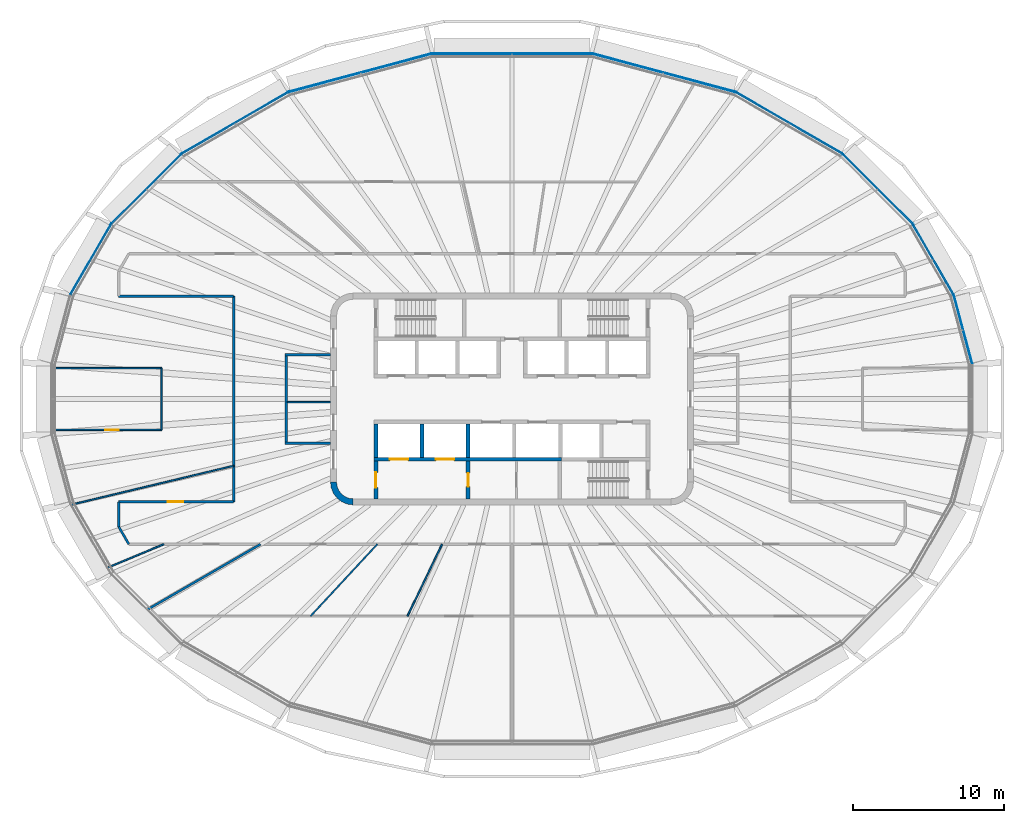
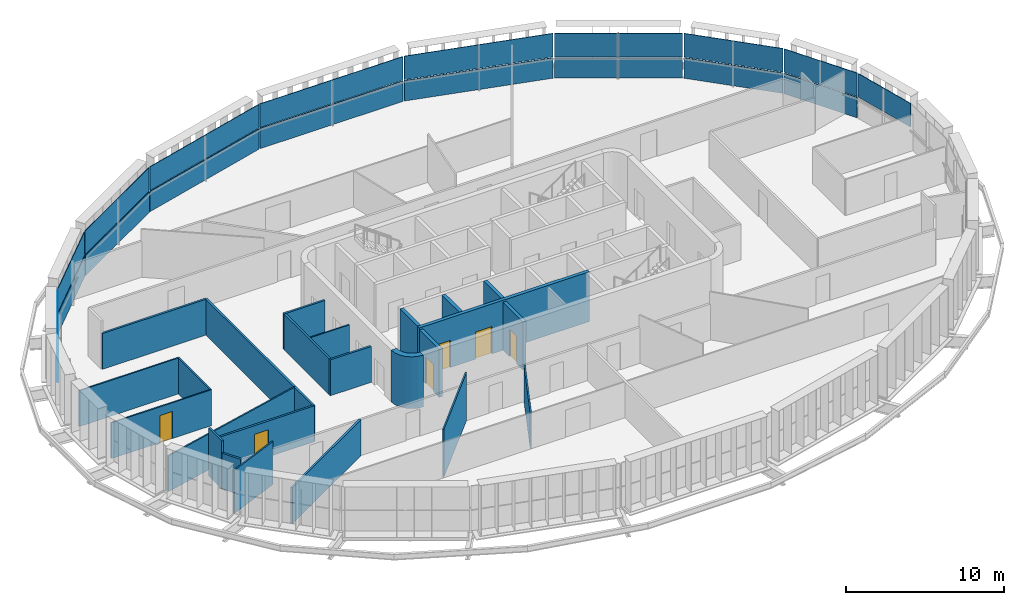
# One storey, part 9 of 19: 24 walls, 19 plates, 6 doors, 6 openings, 10 elements without a shape of their own.
"""IFC4 building model written with IfcOpenShell, lengths in metres."""

from ifc_helpers import new_model, si_unit, direction, frame, frame_2d, origin, place, context, subcontext, project, spatial, polyline, rectangle, outline, extrude, material, layer, layer_set, type_object, element, fill, aggregate, save


model = new_model("IFC4")

# Units and contexts
model_context = context("Model", 3, precision=1e-05, world=origin(), true_north=direction((0.0, 1.0)))
body_context = subcontext(model_context, "Body", "Model", "MODEL_VIEW")
ifc_project = project(units=[si_unit("LENGTHUNIT", "METRE"), si_unit("AREAUNIT", "SQUARE_METRE"), si_unit("VOLUMEUNIT", "CUBIC_METRE"), si_unit("PLANEANGLEUNIT", "RADIAN"), si_unit("MASSUNIT", "GRAM", prefix="KILO")], contexts=[model_context])

# Site, building, storey
site_placement = place(None, origin())
site = spatial("IfcSite", under=ifc_project, at=site_placement, CompositionType="ELEMENT")
building_placement = place(site_placement, origin())
building = spatial("IfcBuilding", under=site, at=building_placement, Name="Sahrelin Media Tower", CompositionType="ELEMENT")
storey_placement = place(building_placement, frame((0.0, 0.0, 241.60009765625)))
storey = spatial("IfcBuildingStorey", under=building, at=storey_placement, Name="L52", CompositionType="ELEMENT", Elevation=241.60009765625)

# Curtain wall, plate
ifc_material_1 = material(Name="Champagne anodised aluminium 6063-T6", Category="aluminium")
ifc_layer_1 = layer(ifc_material_1, 0.14990234375)
ifc_layer_set_1 = layer_set([ifc_layer_1], Name="Tower ribbon curtain wall")
curtain_wall_type = type_object("IfcCurtainWallType", Name="Tower ribbon curtain wall", PredefinedType="NOTDEFINED", material=ifc_layer_set_1)
curtain_wall_1_placement = place(storey_placement, frame((29.83447265625, 4.572265625, 0.0), z_axis=(0.0, 0.0, 1.0), x_axis=(1.0, 0.0, 0.0)))
curtain_wall_1 = element("IfcCurtainWall", 1, at=curtain_wall_1_placement, inside=storey, type_object=curtain_wall_type, Name="L52:CW:L52-01", PredefinedType="NOTDEFINED")
ifc_material_2 = material(Name="Clear low-iron glazing", Category="glass")
ifc_layer_2 = layer(ifc_material_2, 0.0439453125)
ifc_layer_set_2 = layer_set([ifc_layer_2], Name="Glazing panel 44 mm CW1B")
plate_type_1 = type_object("IfcPlateType", Name="Glazing panel 44 mm CW1B", PredefinedType="CURTAIN_PANEL", material=ifc_layer_set_2)
plate_1_placement = place(storey_placement, frame((30.456298828125, 2.327880859375, 1.6298828125), z_axis=(0.965935885882, 0.258781499273, 0.0), x_axis=(-0.258781499273, 0.965935885882, 0.0)))
plate_1 = element("IfcPlate", 2, at=plate_1_placement, type_object=plate_type_1, Name="L52:CWP2:L52-01", PredefinedType="CURTAIN_PANEL", context=body_context, shape_type="SweptSolid", body=[
    extrude(outline(polyline([(0.0, 0.0), (4.65771484375, 0.0), (4.65771484375, 1.818603515625), (0.0, 1.818603515625), (0.0, 0.0)])), origin(), (0.0, 0.0, -1.0), 0.0439453125),
])
aggregate(curtain_wall_1, [plate_1])

curtain_wall_2_placement = place(storey_placement, frame((27.865234375, 9.214111328125, 0.0), z_axis=(0.0, 0.0, 1.0), x_axis=(1.0, 0.0, 0.0)))
curtain_wall_2 = element("IfcCurtainWall", 3, at=curtain_wall_2_placement, inside=storey, type_object=curtain_wall_type, Name="L52:CW:L52-02", PredefinedType="NOTDEFINED")
plate_2_placement = place(storey_placement, frame((29.2109375, 6.923095703125, 1.6298828125), z_axis=(0.866034858292, 0.499983623955, 0.0), x_axis=(-0.499983623955, 0.866034858292, 0.0)))
plate_2 = element("IfcPlate", 4, at=plate_2_placement, type_object=plate_type_1, Name="L52:CWP2:L52-02", PredefinedType="CURTAIN_PANEL", context=body_context, shape_type="SweptSolid", body=[
    extrude(outline(polyline([(0.0, 0.0), (5.313720703125, 0.0), (5.313720703125, 1.818603515625), (0.0, 1.818603515625), (0.0, 0.0)])), origin(), (0.0, 0.0, -1.0), 0.0439453125),
])

curtain_wall_3_placement = place(storey_placement, frame((24.1865234375, 13.883544921875, 0.0), z_axis=(0.0, 0.0, 1.0), x_axis=(1.0, 0.0, 0.0)))
curtain_wall_3 = element("IfcCurtainWall", 5, at=curtain_wall_3_placement, inside=storey, type_object=curtain_wall_type, Name="L52:CW:L52-03", PredefinedType="NOTDEFINED")
plate_3_placement = place(storey_placement, frame((26.49072265625, 11.607666015625, 1.6298828125), z_axis=(0.707087934304, 0.707125627567, 0.0), x_axis=(-0.707125627567, 0.707087934304, 0.0)))
plate_3 = element("IfcPlate", 6, at=plate_3_placement, type_object=plate_type_1, Name="L52:CWP2:L52-03", PredefinedType="CURTAIN_PANEL", context=body_context, shape_type="SweptSolid", body=[
    extrude(outline(polyline([(0.0, 0.0), (6.47705078125, 0.0), (6.47705078125, 1.818603515625), (0.0, 1.818603515625), (0.0, 0.0)])), origin(), (0.0, 0.0, -1.0), 0.0439453125),
])

curtain_wall_4_placement = place(storey_placement, frame((18.3115234375, 18.25830078125, 0.0), z_axis=(0.0, 0.0, 1.0), x_axis=(1.0, 0.0, 0.0)))
curtain_wall_4 = element("IfcCurtainWall", 7, at=curtain_wall_4_placement, inside=storey, type_object=curtain_wall_type, Name="L52:CW:L52-04", PredefinedType="NOTDEFINED")
plate_4_placement = place(storey_placement, frame((21.827880859375, 16.251220703125, 1.6298828125), z_axis=(0.499981703231, 0.866035967171, 0.0), x_axis=(-0.866035967171, 0.499981703231, 0.0)))
plate_4 = element("IfcPlate", 8, at=plate_4_placement, type_object=plate_type_1, Name="L52:CWP2:L52-04", PredefinedType="CURTAIN_PANEL", context=body_context, shape_type="SweptSolid", body=[
    extrude(outline(polyline([(0.0, 0.0), (8.097412109375, 0.0), (8.097412109375, 1.818603515625), (0.0, 1.818603515625), (0.0, 0.0)])), origin(), (0.0, 0.0, -1.0), 0.0439453125),
])

curtain_wall_5_placement = place(storey_placement, frame((10.017578125, 21.57861328125, 0.0), z_axis=(0.0, 0.0, 1.0), x_axis=(1.0, 0.0, 0.0)))
curtain_wall_5 = element("IfcCurtainWall", 9, at=curtain_wall_5_placement, inside=storey, type_object=curtain_wall_type, Name="L52:CW:L52-05", PredefinedType="NOTDEFINED")
plate_5_placement = place(storey_placement, frame((14.718994140625, 20.33984375, 1.6298828125), z_axis=(0.25881891783, 0.965925860392, 0.0), x_axis=(-0.965925860392, 0.25881891783, 0.0)))
plate_5 = element("IfcPlate", 10, at=plate_5_placement, type_object=plate_type_1, Name="L52:CWP2:L52-05", PredefinedType="CURTAIN_PANEL", context=body_context, shape_type="SweptSolid", body=[
    extrude(outline(polyline([(0.0, 0.0), (9.723388671875, 0.0), (9.723388671875, 1.818603515625), (0.0, 1.818603515625), (0.0, 0.0)])), origin(), (0.0, 0.0, -1.0), 0.0439453125),
])

curtain_wall_6_placement = place(storey_placement, frame((0.0, 22.85009765625, 0.0), z_axis=(0.0, 0.0, 1.0), x_axis=(1.0, 0.0, 0.0)))
curtain_wall_6 = element("IfcCurtainWall", 11, at=curtain_wall_6_placement, inside=storey, type_object=curtain_wall_type, Name="L52:CW:L52-06", PredefinedType="NOTDEFINED")
plate_6_placement = place(storey_placement, frame((5.223388671875, 22.8701171875, 1.6298828125), z_axis=(0.0, 1.0, 0.0), x_axis=(-1.0, 0.0, 0.0)))
plate_6 = element("IfcPlate", 12, at=plate_6_placement, type_object=plate_type_1, Name="L52:CWP2:L52-06", PredefinedType="CURTAIN_PANEL", context=body_context, shape_type="SweptSolid", body=[
    extrude(outline(polyline([(0.0, 0.0), (10.44677734375, 0.0), (10.44677734375, 1.818603515625), (0.0, 1.818603515625), (0.0, 0.0)])), origin(), (0.0, 0.0, -1.0), 0.0439453125),
])

curtain_wall_7_placement = place(storey_placement, frame((-10.017578125, 21.578857421875, 0.0), z_axis=(0.0, 0.0, 1.0), x_axis=(1.0, 0.0, 0.0)))
curtain_wall_7 = element("IfcCurtainWall", 13, at=curtain_wall_7_placement, inside=storey, type_object=curtain_wall_type, Name="L52:CW:L52-07", PredefinedType="NOTDEFINED")
plate_7_placement = place(storey_placement, frame((-5.326904296875, 22.8564453125, 1.6298828125), z_axis=(-0.25881891783, 0.965925860392, 0.0), x_axis=(-0.965925860392, -0.25881891783, 0.0)))
plate_7 = element("IfcPlate", 14, at=plate_7_placement, type_object=plate_type_1, Name="L52:CWP2:L52-07", PredefinedType="CURTAIN_PANEL", context=body_context, shape_type="SweptSolid", body=[
    extrude(outline(polyline([(0.0, 0.0), (9.723388671875, 0.0), (9.723388671875, 1.818603515625), (0.0, 1.818603515625), (0.0, 0.0)])), origin(), (0.0, 0.0, -1.0), 0.0439453125),
])

curtain_wall_8_placement = place(storey_placement, frame((-18.3115234375, 18.258056640625, 0.0), z_axis=(0.0, 0.0, 1.0), x_axis=(1.0, 0.0, 0.0)))
curtain_wall_8 = element("IfcCurtainWall", 15, at=curtain_wall_8_placement, inside=storey, type_object=curtain_wall_type, Name="L52:CW:L52-08", PredefinedType="NOTDEFINED")
plate_8_placement = place(storey_placement, frame((-14.815185546875, 20.2998046875, 1.6298828125), z_axis=(-0.499981703231, 0.866035967171, 0.0), x_axis=(-0.866035967171, -0.499981703231, 0.0)))
plate_8 = element("IfcPlate", 16, at=plate_8_placement, type_object=plate_type_1, Name="L52:CWP2:L52-08", PredefinedType="CURTAIN_PANEL", context=body_context, shape_type="SweptSolid", body=[
    extrude(outline(polyline([(0.0, 0.0), (8.097412109375, 0.0), (8.097412109375, 1.818603515625), (0.0, 1.818603515625), (0.0, 0.0)])), origin(), (0.0, 0.0, -1.0), 0.0439453125),
])

curtain_wall_9_placement = place(storey_placement, frame((-24.1865234375, 13.88330078125, 0.0), z_axis=(0.0, 0.0, 1.0), x_axis=(1.0, 0.0, 0.0)))
curtain_wall_9 = element("IfcCurtainWall", 17, at=curtain_wall_9_placement, inside=storey, type_object=curtain_wall_type, Name="L52:CW:L52-09", PredefinedType="NOTDEFINED")
plate_9_placement = place(storey_placement, frame((-21.91064453125, 16.1875, 1.6298828125), z_axis=(-0.707087934304, 0.707125627567, 0.0), x_axis=(-0.707125627567, -0.707087934304, 0.0)))
plate_9 = element("IfcPlate", 18, at=plate_9_placement, type_object=plate_type_1, Name="L52:CWP2:L52-09", PredefinedType="CURTAIN_PANEL", context=body_context, shape_type="SweptSolid", body=[
    extrude(outline(polyline([(0.0, 0.0), (6.47705078125, 0.0), (6.47705078125, 1.818603515625), (0.0, 1.818603515625), (0.0, 0.0)])), origin(), (0.0, 0.0, -1.0), 0.0439453125),
])

curtain_wall_10_placement = place(storey_placement, frame((-27.865234375, 9.214111328125, 0.0), z_axis=(0.0, 0.0, 1.0), x_axis=(1.0, 0.0, 0.0)))
curtain_wall_10 = element("IfcCurtainWall", 19, at=curtain_wall_10_placement, inside=storey, type_object=curtain_wall_type, Name="L52:CW:L52-10", PredefinedType="NOTDEFINED")
plate_10_placement = place(storey_placement, frame((-26.55419921875, 11.52490234375, 1.6298828125), z_axis=(-0.866034858292, 0.499983623955, 0.0), x_axis=(-0.499983623955, -0.866034858292, 0.0)))
plate_10 = element("IfcPlate", 20, at=plate_10_placement, type_object=plate_type_1, Name="L52:CWP2:L52-10", PredefinedType="CURTAIN_PANEL", context=body_context, shape_type="SweptSolid", body=[
    extrude(outline(polyline([(0.0, 0.0), (5.313720703125, 0.0), (5.313720703125, 1.818603515625), (0.0, 1.818603515625), (0.0, 0.0)])), origin(), (0.0, 0.0, -1.0), 0.0439453125),
])

# Plate
ifc_material_3 = material(Name="Insulated spandrel panel")
ifc_layer_3 = layer(ifc_material_3, 0.06005859375)
ifc_layer_set_3 = layer_set([ifc_layer_3], Name="Spandrel panel 60 mm CW1")
plate_type_2 = type_object("IfcPlateType", Name="Spandrel panel 60 mm CW1", PredefinedType="SHEET", material=ifc_layer_set_3)
plate_11_placement = place(storey_placement, frame((29.2109375, 6.923095703125, 0.0), z_axis=(0.866034858292, 0.499983623955, 0.0), x_axis=(-0.499983623955, 0.866034858292, 0.0)))
plate_11 = element("IfcPlate", 21, at=plate_11_placement, type_object=plate_type_2, Name="L52:CWP1:L52-02", PredefinedType="SHEET", context=body_context, shape_type="SweptSolid", body=[
    extrude(outline(polyline([(0.0, 0.0), (5.313720703125, 0.0), (5.313720703125, 1.56982421875), (0.0, 1.56982421875), (0.0, 0.0)])), origin(), (0.0, 0.0, -1.0), 0.06005859375),
])

aggregate(curtain_wall_2, [plate_11, plate_2])

plate_12_placement = place(storey_placement, frame((26.49072265625, 11.607666015625, 0.0), z_axis=(0.707087934304, 0.707125627567, 0.0), x_axis=(-0.707125627567, 0.707087934304, 0.0)))
plate_12 = element("IfcPlate", 22, at=plate_12_placement, type_object=plate_type_2, Name="L52:CWP1:L52-03", PredefinedType="SHEET", context=body_context, shape_type="SweptSolid", body=[
    extrude(outline(polyline([(0.0, 0.0), (6.47705078125, 0.0), (6.47705078125, 1.56982421875), (0.0, 1.56982421875), (0.0, 0.0)])), origin(), (0.0, 0.0, -1.0), 0.06005859375),
])

aggregate(curtain_wall_3, [plate_12, plate_3])

plate_13_placement = place(storey_placement, frame((21.827880859375, 16.251220703125, 0.0), z_axis=(0.499981703231, 0.866035967171, 0.0), x_axis=(-0.866035967171, 0.499981703231, 0.0)))
plate_13 = element("IfcPlate", 23, at=plate_13_placement, type_object=plate_type_2, Name="L52:CWP1:L52-04", PredefinedType="SHEET", context=body_context, shape_type="SweptSolid", body=[
    extrude(outline(polyline([(0.0, 0.0), (8.097412109375, 0.0), (8.097412109375, 1.56982421875), (0.0, 1.56982421875), (0.0, 0.0)])), origin(), (0.0, 0.0, -1.0), 0.06005859375),
])

aggregate(curtain_wall_4, [plate_13, plate_4])

plate_14_placement = place(storey_placement, frame((14.718994140625, 20.33984375, 0.0), z_axis=(0.25881891783, 0.965925860392, 0.0), x_axis=(-0.965925860392, 0.25881891783, 0.0)))
plate_14 = element("IfcPlate", 24, at=plate_14_placement, type_object=plate_type_2, Name="L52:CWP1:L52-05", PredefinedType="SHEET", context=body_context, shape_type="SweptSolid", body=[
    extrude(outline(polyline([(0.0, 0.0), (9.723388671875, 0.0), (9.723388671875, 1.56982421875), (0.0, 1.56982421875), (0.0, 0.0)])), origin(), (0.0, 0.0, -1.0), 0.06005859375),
])

aggregate(curtain_wall_5, [plate_14, plate_5])

plate_15_placement = place(storey_placement, frame((5.223388671875, 22.8701171875, 0.0), z_axis=(0.0, 1.0, 0.0), x_axis=(-1.0, 0.0, 0.0)))
plate_15 = element("IfcPlate", 25, at=plate_15_placement, type_object=plate_type_2, Name="L52:CWP1:L52-06", PredefinedType="SHEET", context=body_context, shape_type="SweptSolid", body=[
    extrude(outline(polyline([(0.0, 0.0), (10.44677734375, 0.0), (10.44677734375, 1.56982421875), (0.0, 1.56982421875), (0.0, 0.0)])), origin(), (0.0, 0.0, -1.0), 0.06005859375),
])

aggregate(curtain_wall_6, [plate_15, plate_6])

plate_16_placement = place(storey_placement, frame((-5.326904296875, 22.8564453125, 0.0), z_axis=(-0.25881891783, 0.965925860392, 0.0), x_axis=(-0.965925860392, -0.25881891783, 0.0)))
plate_16 = element("IfcPlate", 26, at=plate_16_placement, type_object=plate_type_2, Name="L52:CWP1:L52-07", PredefinedType="SHEET", context=body_context, shape_type="SweptSolid", body=[
    extrude(outline(polyline([(0.0, 0.0), (9.723388671875, 0.0), (9.723388671875, 1.56982421875), (0.0, 1.56982421875), (0.0, 0.0)])), origin(), (0.0, 0.0, -1.0), 0.06005859375),
])

aggregate(curtain_wall_7, [plate_16, plate_7])

plate_17_placement = place(storey_placement, frame((-14.815185546875, 20.2998046875, 0.0), z_axis=(-0.499981703231, 0.866035967171, 0.0), x_axis=(-0.866035967171, -0.499981703231, 0.0)))
plate_17 = element("IfcPlate", 27, at=plate_17_placement, type_object=plate_type_2, Name="L52:CWP1:L52-08", PredefinedType="SHEET", context=body_context, shape_type="SweptSolid", body=[
    extrude(outline(polyline([(0.0, 0.0), (8.097412109375, 0.0), (8.097412109375, 1.56982421875), (0.0, 1.56982421875), (0.0, 0.0)])), origin(), (0.0, 0.0, -1.0), 0.06005859375),
])

aggregate(curtain_wall_8, [plate_17, plate_8])

plate_18_placement = place(storey_placement, frame((-21.91064453125, 16.1875, 0.0), z_axis=(-0.707087934304, 0.707125627567, 0.0), x_axis=(-0.707125627567, -0.707087934304, 0.0)))
plate_18 = element("IfcPlate", 28, at=plate_18_placement, type_object=plate_type_2, Name="L52:CWP1:L52-09", PredefinedType="SHEET", context=body_context, shape_type="SweptSolid", body=[
    extrude(outline(polyline([(0.0, 0.0), (6.47705078125, 0.0), (6.47705078125, 1.56982421875), (0.0, 1.56982421875), (0.0, 0.0)])), origin(), (0.0, 0.0, -1.0), 0.06005859375),
])

aggregate(curtain_wall_9, [plate_18, plate_9])

plate_19_placement = place(storey_placement, frame((-26.55419921875, 11.52490234375, 0.0), z_axis=(-0.866034858292, 0.499983623955, 0.0), x_axis=(-0.499983623955, -0.866034858292, 0.0)))
plate_19 = element("IfcPlate", 29, at=plate_19_placement, type_object=plate_type_2, Name="L52:CWP1:L52-10", PredefinedType="SHEET", context=body_context, shape_type="SweptSolid", body=[
    extrude(outline(polyline([(0.0, 0.0), (5.313720703125, 0.0), (5.313720703125, 1.56982421875), (0.0, 1.56982421875), (0.0, 0.0)])), origin(), (0.0, 0.0, -1.0), 0.06005859375),
])

aggregate(curtain_wall_10, [plate_19, plate_10])

# Walls
ifc_material_4 = material(Name="Concrete C60/75", Category="concrete")
ifc_layer_4 = layer(ifc_material_4, 0.39990234375)
ifc_layer_set_4 = layer_set([ifc_layer_4], Name="Core wall 400")
wall_type_1 = type_object("IfcWallType", Name="Core wall 400", PredefinedType="SHEAR", material=ifc_layer_set_4)
wall_1_placement = place(storey_placement, origin())
element("IfcWall", 30, at=wall_1_placement, inside=storey, type_object=wall_type_1, Name="Core wall corner SW L52", PredefinedType="SHEAR", context=body_context, shape_type="SweptSolid", body=[
    extrude(outline(polyline([(-10.5, -7.0), (-10.5, -6.596435546875), (-10.78369140625, -6.55908203125), (-11.04833984375, -6.44970703125), (-11.275390625, -6.275390625), (-11.44970703125, -6.04833984375), (-11.55908203125, -5.78369140625), (-11.596435546875, -5.5), (-12.0, -5.5), (-11.948974609375, -5.88818359375), (-11.799072265625, -6.25), (-11.560791015625, -6.560791015625), (-11.25, -6.799072265625), (-10.88818359375, -6.948974609375), (-10.5, -7.0)])), origin(), (0.0, 0.0, 1.0), 4.0),
])
ifc_material_5 = material(Name="Fire-rated gypsum board partition")
ifc_layer_5 = layer(ifc_material_5, 0.10009765625)
ifc_layer_set_5 = layer_set([ifc_layer_5], Name="Fire-rated partition 100")
wall_type_2 = type_object("IfcWallType", Name="Fire-rated partition 100", PredefinedType="PARTITIONING", material=ifc_layer_set_5)
wall_2_placement = place(storey_placement, frame((-14.85009765625, -0.199951171875, 0.0), z_axis=(0.0, 0.0, 1.0), x_axis=(1.0, 0.0, 0.0)))
element("IfcWall", 31, at=wall_2_placement, inside=storey, type_object=wall_type_2, Name="Core room partition", PredefinedType="PARTITIONING", context=body_context, shape_type="SweptSolid", body=[
    extrude(rectangle(XDim=2.85009765625, YDim=0.10009765625, at=frame_2d((1.425048828125, 0.0))), origin(), (0.0, 0.0, 1.0), 2.76806640625),
])
ifc_layer_6 = layer(ifc_material_5, 0.14990234375)
ifc_layer_set_6 = layer_set([ifc_layer_6], Name="Fire-rated partition 150")
wall_type_3 = type_object("IfcWallType", Name="Fire-rated partition 150", PredefinedType="PARTITIONING", material=ifc_layer_set_6)
wall_3_placement = place(storey_placement, frame((-14.925048828125, -2.85009765625, 0.0), z_axis=(0.0, 0.0, 1.0), x_axis=(0.0, 1.0, 0.0)))
element("IfcWall", 32, at=wall_3_placement, inside=storey, type_object=wall_type_3, Name="Core room fire partition", PredefinedType="PARTITIONING", context=body_context, shape_type="SweptSolid", body=[
    extrude(rectangle(XDim=5.7001953125, YDim=0.14990234375, at=frame_2d((2.85009765625, 0.0))), origin(), (0.0, 0.0, 1.0), 2.76806640625),
])
for number, where, z_axis, x_axis, name in (
    (33, (-15.0, 2.925048828125, 0.0), (0.0, 0.0, 1.0), (1.0, 0.0, 0.0), "Core room fire partition"),
    (34, (-15.0, -2.925048828125, 0.0), (0.0, 0.0, 1.0), (1.0, 0.0, 0.0), "Core room fire partition"),
):
    element("IfcWall", number, at=place(storey_placement, frame(where, z_axis=z_axis, x_axis=x_axis)), inside=storey, type_object=wall_type_3, Name=name, PredefinedType="PARTITIONING", context=body_context, shape_type="SweptSolid", body=[
        extrude(rectangle(XDim=3.0, YDim=0.14990234375, at=frame_2d((1.5, 0.0))), origin(), (0.0, 0.0, 1.0), 2.76806640625),
    ])
wall_4_placement = place(storey_placement, frame((-26.0, -8.445068359375, 0.0), z_axis=(0.0, 0.0, 1.0), x_axis=(0.500076310463, -0.865981341435, 0.0)))
element("IfcWall", 35, at=wall_4_placement, inside=storey, type_object=wall_type_3, Name="Wall", PredefinedType="PARTITIONING", context=body_context, shape_type="SweptSolid", body=[
    extrude(rectangle(XDim=1.333740234375, YDim=0.14990234375, at=frame_2d((0.6669921875, 0.0))), origin(), (0.0, 0.0, 1.0), 2.76806640625),
])

# Wall, opening, door
wall_5_placement = place(storey_placement, frame((-26.0, -6.800048828125, 0.0), z_axis=(0.0, 0.0, 1.0), x_axis=(1.0, 0.0, 0.0)))
wall_5 = element("IfcWall", 36, at=wall_5_placement, inside=storey, type_object=wall_type_3, Name="Wall", PredefinedType="PARTITIONING", context=body_context, shape_type="SweptSolid", body=[
    extrude(rectangle(XDim=7.60009765625, YDim=0.14990234375, at=frame_2d((3.800048828125, 0.0))), origin(), (0.0, 0.0, 1.0), 2.76806640625),
])
opening_1_placement = place(wall_5_placement, frame((3.2490234375, 0.0, 0.0)))
opening_1 = element("IfcOpeningElement", 37, at=opening_1_placement, cuts=wall_5, Name="Opening L52-D25", PredefinedType="OPENING", context=body_context, shape_type="SweptSolid", body=[
    extrude(rectangle(XDim=1.0, YDim=2.10009765625, at=frame_2d((0.5, 1.050048828125))), frame((0.0, 0.074951171875, 0.0), z_axis=(0.0, -1.0, 0.0), x_axis=(1.0, 0.0, 0.0)), (0.0, 0.0, 1.0), 0.14990234375),
])
ifc_material_6 = material(Name="Steel fire door leaf", Category="steel")
door_type_1 = type_object("IfcDoorType", Name="Fire door 1000 x 2100 EI 60", OperationType="NOTDEFINED", PredefinedType="DOOR", material=ifc_material_6)
door_1_placement = place(opening_1_placement, origin())
door_1 = element("IfcDoor", 38, at=door_1_placement, inside=storey, type_object=door_type_1, Name="Fire door", OperationType="SINGLE_SWING_LEFT", OverallHeight=2.10009765625, OverallWidth=1.0, PredefinedType="DOOR", context=body_context, shape_type="SweptSolid", body=[
    extrude(rectangle(XDim=1.0, YDim=2.10009765625, at=frame_2d((0.5, 1.050048828125))), frame((0.0, 0.02490234375, 0.0), z_axis=(0.0, -1.0, 0.0), x_axis=(1.0, 0.0, 0.0)), (0.0, 0.0, 1.0), 0.050048828125),
])
fill(opening_1, door_1)

# Walls
wall_6_placement = place(storey_placement, frame((-26.0, 6.800048828125, 0.0), z_axis=(0.0, 0.0, 1.0), x_axis=(1.0, 0.0, 0.0)))
element("IfcWall", 39, at=wall_6_placement, inside=storey, type_object=wall_type_3, Name="Wall", PredefinedType="PARTITIONING", context=body_context, shape_type="SweptSolid", body=[
    extrude(rectangle(XDim=7.60009765625, YDim=0.14990234375, at=frame_2d((3.800048828125, 0.0))), origin(), (0.0, 0.0, 1.0), 2.76806640625),
])
wall_7_placement = place(storey_placement, frame((-24.135009765625, -13.93505859375, 0.0), z_axis=(0.0, 0.0, 1.0), x_axis=(0.866016292776, 0.500015780397, 0.0)))
element("IfcWall", 40, at=wall_7_placement, inside=storey, type_object=wall_type_3, Name="Wall", PredefinedType="PARTITIONING", context=body_context, shape_type="SweptSolid", body=[
    extrude(rectangle(XDim=8.669677734375, YDim=0.14990234375, at=frame_2d((4.3349609375, 0.0))), origin(), (0.0, 0.0, 1.0), 2.77685546875),
])
wall_8_placement = place(storey_placement, frame((-18.39990234375, -6.800048828125, 0.0), z_axis=(0.0, 0.0, 1.0), x_axis=(0.0, 1.0, 0.0)))
element("IfcWall", 41, at=wall_8_placement, inside=storey, type_object=wall_type_3, Name="Wall", PredefinedType="PARTITIONING", context=body_context, shape_type="SweptSolid", body=[
    extrude(rectangle(XDim=13.60009765625, YDim=0.14990234375, at=frame_2d((6.800048828125, 0.0))), origin(), (0.0, 0.0, 1.0), 2.76806640625),
])
wall_9_placement = place(storey_placement, frame((-26.0, -8.445068359375, 0.0), z_axis=(0.0, 0.0, 1.0), x_axis=(0.0, 1.0, 0.0)))
element("IfcWall", 42, at=wall_9_placement, inside=storey, type_object=wall_type_3, Name="Wall", PredefinedType="PARTITIONING", context=body_context, shape_type="SweptSolid", body=[
    extrude(rectangle(XDim=1.64501953125, YDim=0.14990234375, at=frame_2d((0.822509765625, 0.0))), origin(), (0.0, 0.0, 1.0), 3.699951171875),
])

# Wall, opening, door
ifc_layer_7 = layer(ifc_material_5, 0.25)
ifc_layer_set_7 = layer_set([ifc_layer_7], Name="Firefighting lobby wall 250")
wall_type_4 = type_object("IfcWallType", Name="Firefighting lobby wall 250", PredefinedType="PARTITIONING", material=ifc_layer_set_7)
wall_10_placement = place(storey_placement, frame((-9.0, -6.60009765625, 0.0), z_axis=(0.0, 0.0, 1.0), x_axis=(0.0, 1.0, 0.0)))
wall_10 = element("IfcWall", 43, at=wall_10_placement, inside=storey, type_object=wall_type_4, Name="Core wall", PredefinedType="PARTITIONING", context=body_context, shape_type="SweptSolid", body=[
    extrude(rectangle(XDim=2.5, YDim=0.25, at=frame_2d((1.25, 0.0))), origin(), (0.0, 0.0, 1.0), 3.699951171875),
])
opening_2_placement = place(wall_10_placement, frame((0.75, 0.0, 0.0)))
opening_2 = element("IfcOpeningElement", 44, at=opening_2_placement, cuts=wall_10, Name="Opening L52-D04", PredefinedType="OPENING", context=body_context, shape_type="SweptSolid", body=[
    extrude(rectangle(XDim=1.0, YDim=2.10009765625, at=frame_2d((0.5, 1.050048828125))), frame((0.0, 0.125, 0.0), z_axis=(0.0, -1.0, 0.0), x_axis=(1.0, 0.0, 0.0)), (0.0, 0.0, 1.0), 0.25),
])
door_type_2 = type_object("IfcDoorType", Name="Firefighting lobby door 1000 x 2100 EI 120", OperationType="NOTDEFINED", PredefinedType="DOOR", material=ifc_material_6)
door_2_placement = place(opening_2_placement, origin())
door_2 = element("IfcDoor", 45, at=door_2_placement, inside=storey, type_object=door_type_2, Name="Firefighting lobby door", OperationType="SINGLE_SWING_LEFT", OverallHeight=2.10009765625, OverallWidth=1.0, PredefinedType="DOOR", context=body_context, shape_type="SweptSolid", body=[
    extrude(rectangle(XDim=1.0, YDim=2.10009765625, at=frame_2d((0.5, 1.050048828125))), frame((0.0, 0.02490234375, 0.0), z_axis=(0.0, -1.0, 0.0), x_axis=(1.0, 0.0, 0.0)), (0.0, 0.0, 1.0), 0.050048828125),
])
fill(opening_2, door_2)

wall_11_placement = place(storey_placement, frame((-2.89990234375, -6.60009765625, 0.0), z_axis=(0.0, 0.0, 1.0), x_axis=(0.0, 1.0, 0.0)))
wall_11 = element("IfcWall", 46, at=wall_11_placement, inside=storey, type_object=wall_type_4, Name="Core wall", PredefinedType="PARTITIONING", context=body_context, shape_type="SweptSolid", body=[
    extrude(rectangle(XDim=2.5, YDim=0.25, at=frame_2d((1.25, 0.0))), origin(), (0.0, 0.0, 1.0), 3.699951171875),
])
opening_3_placement = place(wall_11_placement, frame((0.800048828125, 0.0, 0.0)))
opening_3 = element("IfcOpeningElement", 47, at=opening_3_placement, cuts=wall_11, Name="Opening L52-D05", PredefinedType="OPENING", context=body_context, shape_type="SweptSolid", body=[
    extrude(rectangle(XDim=0.89990234375, YDim=2.10009765625, at=frame_2d((0.449951171875, 1.050048828125))), frame((0.0, 0.125, 0.0), z_axis=(0.0, -1.0, 0.0), x_axis=(1.0, 0.0, 0.0)), (0.0, 0.0, 1.0), 0.25),
])
door_type_3 = type_object("IfcDoorType", Name="Firefighting lobby door 900 x 2100 EI 120", OperationType="NOTDEFINED", PredefinedType="DOOR", material=ifc_material_6)
door_3_placement = place(opening_3_placement, origin())
door_3 = element("IfcDoor", 48, at=door_3_placement, inside=storey, type_object=door_type_3, Name="Riser door", OperationType="SINGLE_SWING_RIGHT", OverallHeight=2.10009765625, OverallWidth=0.89990234375, PredefinedType="DOOR", context=body_context, shape_type="SweptSolid", body=[
    extrude(rectangle(XDim=0.89990234375, YDim=2.10009765625, at=frame_2d((0.449951171875, 1.050048828125))), frame((0.0, 0.02490234375, 0.0), z_axis=(0.0, -1.0, 0.0), x_axis=(1.0, 0.0, 0.0)), (0.0, 0.0, 1.0), 0.050048828125),
])
fill(opening_3, door_3)

# Wall, openings, doors
ifc_layer_8 = layer(ifc_material_4, 0.25)
ifc_layer_set_8 = layer_set([ifc_layer_8], Name="Lift shaft wall 250")
wall_type_5 = type_object("IfcWallType", Name="Lift shaft wall 250", PredefinedType="SOLIDWALL", material=ifc_layer_set_8)
wall_12_placement = place(storey_placement, frame((-9.125, -3.97509765625, 0.0), z_axis=(0.0, 0.0, 1.0), x_axis=(1.0, 0.0, 0.0)))
wall_12 = element("IfcWall", 49, at=wall_12_placement, inside=storey, type_object=wall_type_5, Name="Lift shaft wall", PredefinedType="SOLIDWALL", context=body_context, shape_type="SweptSolid", body=[
    extrude(rectangle(XDim=12.39990234375, YDim=0.25, at=frame_2d((6.199951171875, 0.0))), origin(), (0.0, 0.0, 1.0), 3.849853515625),
])
opening_4_placement = place(wall_12_placement, frame((1.050048828125, 0.0, 0.0)))
opening_4 = element("IfcOpeningElement", 50, at=opening_4_placement, cuts=wall_12, Name="Opening L52-LD-FF1", PredefinedType="OPENING", context=body_context, shape_type="SweptSolid", body=[
    extrude(rectangle(XDim=1.199951171875, YDim=2.10009765625, at=frame_2d((0.60009765625, 1.050048828125))), frame((0.0, 0.125, 0.0), z_axis=(0.0, -1.0, 0.0), x_axis=(1.0, 0.0, 0.0)), (0.0, 0.0, 1.0), 0.25),
])
opening_5_placement = place(wall_12_placement, frame((4.10009765625, 0.0, 0.0)))
opening_5 = element("IfcOpeningElement", 51, at=opening_5_placement, cuts=wall_12, Name="Opening L52-LD-FF2", PredefinedType="OPENING", context=body_context, shape_type="SweptSolid", body=[
    extrude(rectangle(XDim=1.199951171875, YDim=2.10009765625, at=frame_2d((0.60009765625, 1.050048828125))), frame((0.0, 0.125, 0.0), z_axis=(0.0, -1.0, 0.0), x_axis=(1.0, 0.0, 0.0)), (0.0, 0.0, 1.0), 0.25),
])
ifc_material_7 = material(Name="Stainless steel", Category="steel")
door_type_4 = type_object("IfcDoorType", Name="Lift landing door 1200 x 2100 EI 120", OperationType="DOUBLE_DOOR_SLIDING", PredefinedType="DOOR", material=ifc_material_7)
door_4_placement = place(opening_4_placement, origin())
door_4 = element("IfcDoor", 52, at=door_4_placement, inside=storey, type_object=door_type_4, Name="Lift landing door FF1", OperationType="DOUBLE_DOOR_SLIDING", OverallHeight=2.10009765625, OverallWidth=1.199951171875, PredefinedType="DOOR", context=body_context, shape_type="SweptSolid", body=[
    extrude(rectangle(XDim=1.199951171875, YDim=2.10009765625, at=frame_2d((0.60009765625, 1.050048828125))), frame((0.0, 0.02490234375, 0.0), z_axis=(0.0, -1.0, 0.0), x_axis=(1.0, 0.0, 0.0)), (0.0, 0.0, 1.0), 0.050048828125),
])
fill(opening_4, door_4)
door_5_placement = place(opening_5_placement, origin())
door_5 = element("IfcDoor", 53, at=door_5_placement, inside=storey, type_object=door_type_4, Name="Lift landing door FF2", OperationType="DOUBLE_DOOR_SLIDING", OverallHeight=2.10009765625, OverallWidth=1.199951171875, PredefinedType="DOOR", context=body_context, shape_type="SweptSolid", body=[
    extrude(rectangle(XDim=1.199951171875, YDim=2.10009765625, at=frame_2d((0.60009765625, 1.050048828125))), frame((0.0, 0.02490234375, 0.0), z_axis=(0.0, -1.0, 0.0), x_axis=(1.0, 0.0, 0.0)), (0.0, 0.0, 1.0), 0.050048828125),
])
fill(opening_5, door_5)

# Walls
for number, where, z_axis, x_axis, name in (
    (54, (-9.0, -3.85009765625, 0.0), (0.0, 0.0, 1.0), (0.0, 1.0, 0.0), "Lift shaft wall"),
    (55, (-5.949951171875, -3.85009765625, 0.0), (0.0, 0.0, 1.0), (0.0, 1.0, 0.0), "Lift shaft wall"),
    (56, (-2.89990234375, -3.85009765625, 0.0), (0.0, 0.0, 1.0), (0.0, 1.0, 0.0), "Lift shaft wall"),
):
    element("IfcWall", number, at=place(storey_placement, frame(where, z_axis=z_axis, x_axis=x_axis)), inside=storey, type_object=wall_type_5, Name=name, PredefinedType="SOLIDWALL", context=body_context, shape_type="SweptSolid", body=[
        extrude(rectangle(XDim=2.2001953125, YDim=0.25, at=frame_2d((1.10009765625, 0.0))), origin(), (0.0, 0.0, 1.0), 3.849853515625),
    ])

# Wall, opening, door
ifc_material_8 = material(Name="Gypsum board partition")
ifc_layer_9 = layer(ifc_material_8, 0.10009765625)
ifc_layer_set_9 = layer_set([ifc_layer_9], Name="Partition 100")
wall_type_6 = type_object("IfcWallType", Name="Partition 100", PredefinedType="PARTITIONING", material=ifc_layer_set_9)
wall_13_placement = place(storey_placement, frame((-30.449951171875, -2.0400390625, 0.0), z_axis=(0.0, 0.0, 1.0), x_axis=(1.0, 0.0, 0.0)))
wall_13 = element("IfcWall", 57, at=wall_13_placement, inside=storey, type_object=wall_type_6, Name="Wall", PredefinedType="PARTITIONING", context=body_context, shape_type="SweptSolid", body=[
    extrude(rectangle(XDim=7.2900390625, YDim=0.10009765625, at=frame_2d((3.64501953125, 0.0))), origin(), (0.0, 0.0, 1.0), 2.76806640625),
])
opening_6_placement = place(wall_13_placement, frame((3.55126953125, 0.0, 0.0)))
opening_6 = element("IfcOpeningElement", 58, at=opening_6_placement, cuts=wall_13, Name="Opening L52-D27", PredefinedType="OPENING", context=body_context, shape_type="SweptSolid", body=[
    extrude(rectangle(XDim=0.89990234375, YDim=2.10009765625, at=frame_2d((0.449951171875, 1.050048828125))), frame((0.0, 0.050048828125, 0.0), z_axis=(0.0, -1.0, 0.0), x_axis=(1.0, 0.0, 0.0)), (0.0, 0.0, 1.0), 0.10009765625),
])
ifc_material_9 = material(Name="Timber door leaf", Category="wood")
door_type_5 = type_object("IfcDoorType", Name="Single door 900 x 2100", OperationType="NOTDEFINED", PredefinedType="DOOR", material=ifc_material_9)
door_6_placement = place(opening_6_placement, origin())
door_6 = element("IfcDoor", 59, at=door_6_placement, inside=storey, type_object=door_type_5, Name="Single door", OperationType="SINGLE_SWING_LEFT", OverallHeight=2.10009765625, OverallWidth=0.89990234375, PredefinedType="DOOR", context=body_context, shape_type="SweptSolid", body=[
    extrude(rectangle(XDim=0.89990234375, YDim=2.10009765625, at=frame_2d((0.449951171875, 1.050048828125))), frame((0.0, 0.02490234375, 0.0), z_axis=(0.0, -1.0, 0.0), x_axis=(1.0, 0.0, 0.0)), (0.0, 0.0, 1.0), 0.050048828125),
])
fill(opening_6, door_6)

# Walls
wall_14_placement = place(storey_placement, frame((-30.449951171875, 2.0400390625, 0.0), z_axis=(0.0, 0.0, 1.0), x_axis=(1.0, 0.0, 0.0)))
element("IfcWall", 60, at=wall_14_placement, inside=storey, type_object=wall_type_6, Name="Wall", PredefinedType="PARTITIONING", context=body_context, shape_type="SweptSolid", body=[
    extrude(rectangle(XDim=7.2900390625, YDim=0.10009765625, at=frame_2d((3.64501953125, 0.0))), origin(), (0.0, 0.0, 1.0), 2.76806640625),
])
wall_15_placement = place(storey_placement, frame((-29.14892578125, -6.990966796875, 0.0), z_axis=(0.0, 0.0, 1.0), x_axis=(0.97242598182, 0.233211727583, 0.0)))
element("IfcWall", 61, at=wall_15_placement, inside=storey, type_object=wall_type_6, Name="Wall", PredefinedType="PARTITIONING", context=body_context, shape_type="SweptSolid", body=[
    extrude(rectangle(XDim=11.0537109375, YDim=0.10009765625, at=frame_2d((5.52685546875, 0.0))), origin(), (0.0, 0.0, 1.0), 2.76806640625),
])
wall_16_placement = place(storey_placement, frame((-26.7470703125, -11.152099609375, 0.0), z_axis=(0.0, 0.0, 1.0), x_axis=(0.922980174508, 0.384847498973, 0.0)))
element("IfcWall", 62, at=wall_16_placement, inside=storey, type_object=wall_type_6, Name="Wall", PredefinedType="PARTITIONING", context=body_context, shape_type="SweptSolid", body=[
    extrude(rectangle(XDim=4.03271484375, YDim=0.10009765625, at=frame_2d((2.016357421875, 0.0))), origin(), (0.0, 0.0, 1.0), 3.324951171875),
])
wall_17_placement = place(storey_placement, frame((-13.323974609375, -14.360107421875, 0.0), z_axis=(0.0, 0.0, 1.0), x_axis=(0.680201581888, 0.733025107344, 0.0)))
element("IfcWall", 63, at=wall_17_placement, inside=storey, type_object=wall_type_6, Name="Wall", PredefinedType="PARTITIONING", context=body_context, shape_type="SweptSolid", body=[
    extrude(rectangle(XDim=6.49365234375, YDim=0.10009765625, at=frame_2d((3.246826171875, 0.0))), origin(), (0.0, 0.0, 1.0), 3.699951171875),
])
wall_18_placement = place(storey_placement, frame((-6.9150390625, -14.360107421875, 0.0), z_axis=(0.0, 0.0, 1.0), x_axis=(0.433836460285, 0.90099163466, 0.0)))
element("IfcWall", 64, at=wall_18_placement, inside=storey, type_object=wall_type_6, Name="Wall", PredefinedType="PARTITIONING", context=body_context, shape_type="SweptSolid", body=[
    extrude(rectangle(XDim=5.282958984375, YDim=0.10009765625, at=frame_2d((2.6416015625, 0.0))), origin(), (0.0, 0.0, 1.0), 2.76806640625),
])
wall_19_placement = place(storey_placement, frame((-23.159912109375, -2.0400390625, 0.0), z_axis=(0.0, 0.0, 1.0), x_axis=(0.0, 1.0, 0.0)))
element("IfcWall", 65, at=wall_19_placement, inside=storey, type_object=wall_type_6, Name="Wall", PredefinedType="PARTITIONING", context=body_context, shape_type="SweptSolid", body=[
    extrude(rectangle(XDim=4.080078125, YDim=0.10009765625, at=frame_2d((2.0400390625, 0.0))), origin(), (0.0, 0.0, 1.0), 2.76806640625),
])

save(model, "model.ifc")
